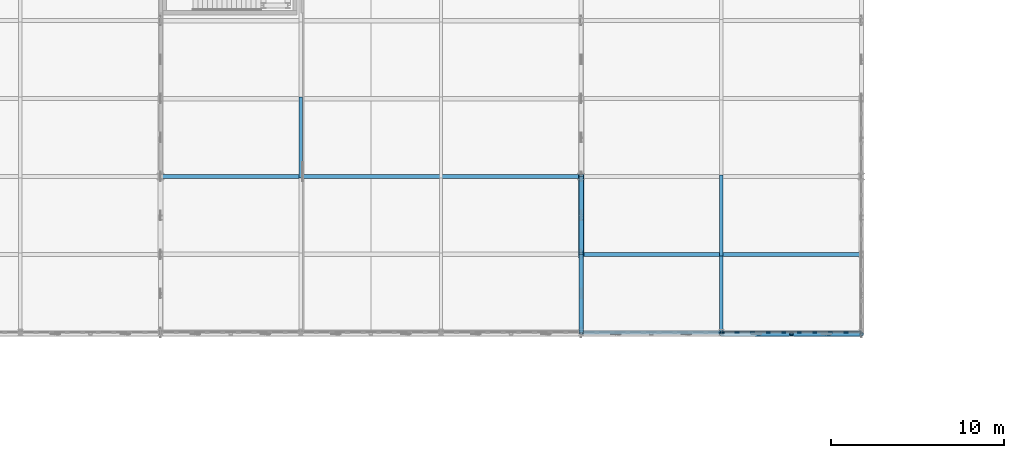
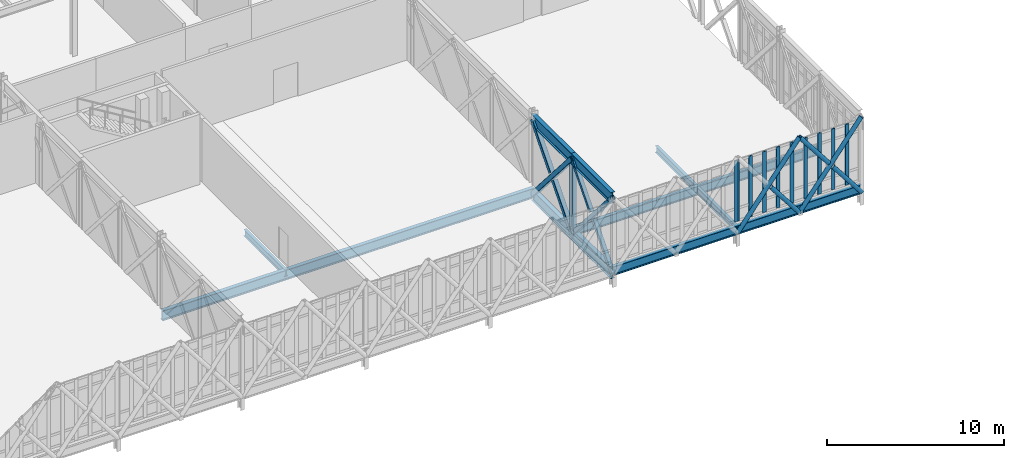
# One storey, part 18 of 107: 22 members, 10 beams, 2 elements without a shape of their own.
"""IFC4 building model written with IfcOpenShell, lengths in metres."""

from ifc_helpers import new_model, si_unit, direction, frame, origin, origin_2d, place, context, subcontext, project, spatial, rectangle, hollow_rectangle, hollow_circle, i_section, extrude, material, material_profile, profile_set, type_object, element, aggregate, save


model = new_model("IFC4")

# Units and contexts
model_context = context("Model", 3, precision=1e-05, world=origin(), true_north=direction((0.0, 1.0)))
body_context = subcontext(model_context, "Body", "Model", "MODEL_VIEW")
ifc_project = project(units=[si_unit("LENGTHUNIT", "METRE"), si_unit("AREAUNIT", "SQUARE_METRE"), si_unit("VOLUMEUNIT", "CUBIC_METRE"), si_unit("PLANEANGLEUNIT", "RADIAN"), si_unit("MASSUNIT", "GRAM", prefix="KILO")], contexts=[model_context])

# Site, building, storey
site_placement = place(None, origin())
site = spatial("IfcSite", under=ifc_project, at=site_placement, CompositionType="ELEMENT")
building_placement = place(site_placement, origin())
building = spatial("IfcBuilding", under=site, at=building_placement, Name="Tarnveldt Square Police Headquarters", CompositionType="ELEMENT")
storey_placement = place(building_placement, frame((0.0, 0.0, 14.699951171875)))
storey = spatial("IfcBuildingStorey", under=building, at=storey_placement, Name="L03", CompositionType="ELEMENT", Elevation=14.699951171875)

# Beams
ifc_material_1 = material(Name="Steel 350W", Category="steel")
ifc_material_profile_1 = material_profile(ifc_material_1, i_section(OverallWidth=0.26708984375, OverallDepth=0.76611328125, WebThickness=0.014892578125, FlangeThickness=0.023681640625, FilletRadius=0.02197265625, at=origin_2d()), Name="W760x185")
ifc_profile_set_1 = profile_set([ifc_material_profile_1], Name="Steel 350W")
beam_type_1 = type_object("IfcBeamType", Name="BM-CT-BOT", PredefinedType="BEAM", material=ifc_profile_set_1)
for number, where, z_axis, x_axis, name in (
    (1, (48.60009765625, 16.0, -0.742919921875), (0.0, -1.0, 0.0), (1.0, 0.0, 0.0), "Cantilever Truss CT-3 Bottom Chord 5"),
    (2, (48.60009765625, 16.0, 4.45703125), (0.0, -1.0, 0.0), (1.0, 0.0, 0.0), "Cantilever Truss CT-3 Mid Chord 5"),
    (3, (48.60009765625, 11.5, -0.742919921875), (0.0, -1.0, 0.0), (1.0, 0.0, 0.0), "Cantilever Truss CT-3 Bottom Chord 6"),
    (4, (48.60009765625, 11.5, 4.45703125), (0.0, -1.0, 0.0), (1.0, 0.0, 0.0), "Cantilever Truss CT-3 Mid Chord 6"),
):
    element("IfcBeam", number, at=place(storey_placement, frame(where, z_axis=z_axis, x_axis=x_axis)), inside=storey, type_object=beam_type_1, Name=name, PredefinedType="BEAM", context=body_context, shape_type="SweptSolid", body=[
        extrude(i_section(OverallWidth=0.26708984375, OverallDepth=0.76611328125, WebThickness=0.014892578125, FlangeThickness=0.023681640625, FilletRadius=0.02197265625, at=origin_2d()), origin(), (0.0, 0.0, 1.0), 4.5),
    ])
ifc_material_profile_2 = material_profile(ifc_material_1, i_section(OverallWidth=0.19189453125, OverallDepth=0.462890625, WebThickness=0.010498046875, FlangeThickness=0.017578125, FilletRadius=0.01806640625, at=origin_2d()), Name="W460x89")
ifc_profile_set_2 = profile_set([ifc_material_profile_2], Name="Steel 350W")
beam_type_2 = type_object("IfcBeamType", Name="BM-W460x89", PredefinedType="BEAM", material=ifc_profile_set_2)
for number, where, z_axis, x_axis, name in (
    (5, (32.39990234375, 20.580078125, -0.491455078125), (0.0, -1.0, 0.0), (1.0, 0.0, 0.0), "Lantern L03 Secondary Beam 32.3"),
    (6, (56.699951171875, 16.080078125, -0.491455078125), (0.0, -1.0, 0.0), (1.0, 0.0, 0.0), "Lantern L03 Secondary Beam 56.4"),
    (7, (56.699951171875, 11.580078125, -0.491455078125), (0.0, -1.0, 0.0), (1.0, 0.0, 0.0), "Lantern L03 Secondary Beam 56.5"),
):
    element("IfcBeam", number, at=place(storey_placement, frame(where, z_axis=z_axis, x_axis=x_axis)), inside=storey, type_object=beam_type_2, Name=name, PredefinedType="BEAM", context=body_context, shape_type="SweptSolid", body=[
        extrude(i_section(OverallWidth=0.19189453125, OverallDepth=0.462890625, WebThickness=0.010498046875, FlangeThickness=0.017578125, FilletRadius=0.01806640625, at=origin_2d()), origin(), (0.0, 0.0, 1.0), 4.66015625),
    ])
ifc_material_profile_3 = material_profile(ifc_material_1, i_section(OverallWidth=0.22900390625, OverallDepth=0.612060546875, WebThickness=0.011962890625, FlangeThickness=0.01953125, FilletRadius=0.01904296875, at=origin_2d()), Name="W610x125")
ifc_profile_set_3 = profile_set([ifc_material_profile_3], Name="Steel 350W")
beam_type_3 = type_object("IfcBeamType", Name="BM-W610x125", PredefinedType="BEAM", material=ifc_profile_set_3)
for number, where, z_axis, x_axis, name in (
    (8, (48.60009765625, 11.5, -0.56591796875), (1.0, 0.0, 0.0), (0.0, 1.0, 0.0), "Command Lantern L03 Transverse Girder 3.5"),
    (9, (48.60009765625, 7.0, -0.56591796875), (1.0, 0.0, 0.0), (0.0, 1.0, 0.0), "Command Lantern L03 Transverse Girder 3.6"),
):
    element("IfcBeam", number, at=place(storey_placement, frame(where, z_axis=z_axis, x_axis=x_axis)), inside=storey, type_object=beam_type_3, Name=name, PredefinedType="BEAM", context=body_context, shape_type="SweptSolid", body=[
        extrude(i_section(OverallWidth=0.22900390625, OverallDepth=0.612060546875, WebThickness=0.011962890625, FlangeThickness=0.01953125, FilletRadius=0.01904296875, at=origin_2d()), origin(), (0.0, 0.0, 1.0), 16.199951171875),
    ])
ifc_material_profile_4 = material_profile(ifc_material_1, i_section(OverallWidth=0.25390625, OverallDepth=0.68798828125, WebThickness=0.01318359375, FlangeThickness=0.02099609375, FilletRadius=0.02001953125, at=origin_2d()), Name="W690x152")
ifc_profile_set_4 = profile_set([ifc_material_profile_4], Name="Steel 350W")
beam_type_4 = type_object("IfcBeamType", Name="BM-W690x152", PredefinedType="BEAM", material=ifc_profile_set_4)
beam_placement = place(storey_placement, frame((24.300048828125, 16.0, -0.60400390625), z_axis=(1.0, 0.0, 0.0), x_axis=(0.0, 1.0, 0.0)))
element("IfcBeam", 10, at=beam_placement, inside=storey, type_object=beam_type_4, Name="Command Lantern L03 Transverse Girder 2.4", PredefinedType="BEAM", context=body_context, shape_type="SweptSolid", body=[
    extrude(i_section(OverallWidth=0.25390625, OverallDepth=0.68798828125, WebThickness=0.01318359375, FlangeThickness=0.02099609375, FilletRadius=0.02001953125, at=origin_2d()), origin(), (0.0, 0.0, 1.0), 24.300048828125),
])

# Curtain wall, member
ifc_material_2 = material(Name="UL 752 Level III laminated ballistic vision glass", Category="glass")
curtain_wall_type = type_object("IfcCurtainWallType", Name="CW-BL-810x422", PredefinedType="USERDEFINED", material=ifc_material_2)
curtain_wall_1_placement = place(storey_placement, origin())
curtain_wall_1 = element("IfcCurtainWall", 11, at=curtain_wall_1_placement, inside=storey, type_object=curtain_wall_type, Name="L03 Curtain Wall CW-L03-028", ObjectType="BALLISTIC CURTAIN WALL", PredefinedType="USERDEFINED")
ifc_material_3 = material(Name="Thermally broken anodised aluminium 6063-T6", Category="aluminium")
ifc_material_profile_5 = material_profile(ifc_material_3, rectangle(XDim=0.0849609375, YDim=0.239990234375, at=origin_2d()), Name="CW-M85x240")
ifc_profile_set_5 = profile_set([ifc_material_profile_5], Name="Thermally broken anodised aluminium 6063-T6")
member_type_1 = type_object("IfcMemberType", Name="CWM-85x240", PredefinedType="MULLION", material=ifc_profile_set_5)
member_1_placement = place(storey_placement, frame((56.657470703125, 7.0, 0.0), z_axis=(0.0, 0.0, 1.0), x_axis=(0.0, 1.0, 0.0)))
member_1 = element("IfcMember", 12, at=member_1_placement, type_object=member_type_1, Name="CW-BL12 mullion 10", PredefinedType="MULLION", context=body_context, shape_type="SweptSolid", body=[
    extrude(rectangle(XDim=0.0849609375, YDim=0.239990234375, at=origin_2d()), origin(), (0.0, 0.0, 1.0), 4.219970703125),
])
aggregate(curtain_wall_1, [member_1])

# Curtain wall, members
curtain_wall_2_placement = place(storey_placement, origin())
curtain_wall_2 = element("IfcCurtainWall", 13, at=curtain_wall_2_placement, inside=storey, type_object=curtain_wall_type, Name="L03 Curtain Wall CW-L03-029", ObjectType="BALLISTIC CURTAIN WALL", PredefinedType="USERDEFINED")
member_2_placement = place(storey_placement, frame((56.742431640625, 7.0, 0.0), z_axis=(0.0, 0.0, 1.0), x_axis=(0.0, 1.0, 0.0)))
member_2 = element("IfcMember", 14, at=member_2_placement, type_object=member_type_1, Name="CW-BL12 mullion 1", PredefinedType="MULLION", context=body_context, shape_type="SweptSolid", body=[
    extrude(rectangle(XDim=0.0849609375, YDim=0.239990234375, at=origin_2d()), origin(), (0.0, 0.0, 1.0), 4.219970703125),
])
member_3_placement = place(storey_placement, frame((57.60009765625, 7.0, 0.0), z_axis=(0.0, 0.0, 1.0), x_axis=(0.0, 1.0, 0.0)))
member_3 = element("IfcMember", 15, at=member_3_placement, type_object=member_type_1, Name="CW-BL12 mullion 2", PredefinedType="MULLION", context=body_context, shape_type="SweptSolid", body=[
    extrude(rectangle(XDim=0.0849609375, YDim=0.239990234375, at=origin_2d()), origin(), (0.0, 0.0, 1.0), 4.219970703125),
])
member_4_placement = place(storey_placement, frame((58.5, 7.0, 0.0), z_axis=(0.0, 0.0, 1.0), x_axis=(0.0, 1.0, 0.0)))
member_4 = element("IfcMember", 16, at=member_4_placement, type_object=member_type_1, Name="CW-BL12 mullion 3", PredefinedType="MULLION", context=body_context, shape_type="SweptSolid", body=[
    extrude(rectangle(XDim=0.0849609375, YDim=0.239990234375, at=origin_2d()), origin(), (0.0, 0.0, 1.0), 4.219970703125),
])
member_5_placement = place(storey_placement, frame((59.39990234375, 7.0, 0.0), z_axis=(0.0, 0.0, 1.0), x_axis=(0.0, 1.0, 0.0)))
member_5 = element("IfcMember", 17, at=member_5_placement, type_object=member_type_1, Name="CW-BL12 mullion 4", PredefinedType="MULLION", context=body_context, shape_type="SweptSolid", body=[
    extrude(rectangle(XDim=0.0849609375, YDim=0.239990234375, at=origin_2d()), origin(), (0.0, 0.0, 1.0), 4.219970703125),
])
member_6_placement = place(storey_placement, frame((60.300048828125, 7.0, 0.0), z_axis=(0.0, 0.0, 1.0), x_axis=(0.0, 1.0, 0.0)))
member_6 = element("IfcMember", 18, at=member_6_placement, type_object=member_type_1, Name="CW-BL12 mullion 5", PredefinedType="MULLION", context=body_context, shape_type="SweptSolid", body=[
    extrude(rectangle(XDim=0.0849609375, YDim=0.239990234375, at=origin_2d()), origin(), (0.0, 0.0, 1.0), 4.219970703125),
])
member_7_placement = place(storey_placement, frame((61.199951171875, 7.0, 0.0), z_axis=(0.0, 0.0, 1.0), x_axis=(0.0, 1.0, 0.0)))
member_7 = element("IfcMember", 19, at=member_7_placement, type_object=member_type_1, Name="CW-BL12 mullion 6", PredefinedType="MULLION", context=body_context, shape_type="SweptSolid", body=[
    extrude(rectangle(XDim=0.0849609375, YDim=0.239990234375, at=origin_2d()), origin(), (0.0, 0.0, 1.0), 4.219970703125),
])
member_8_placement = place(storey_placement, frame((62.10009765625, 7.0, 0.0), z_axis=(0.0, 0.0, 1.0), x_axis=(0.0, 1.0, 0.0)))
member_8 = element("IfcMember", 20, at=member_8_placement, type_object=member_type_1, Name="CW-BL12 mullion 7", PredefinedType="MULLION", context=body_context, shape_type="SweptSolid", body=[
    extrude(rectangle(XDim=0.0849609375, YDim=0.239990234375, at=origin_2d()), origin(), (0.0, 0.0, 1.0), 4.219970703125),
])
member_9_placement = place(storey_placement, frame((63.0, 7.0, 0.0), z_axis=(0.0, 0.0, 1.0), x_axis=(0.0, 1.0, 0.0)))
member_9 = element("IfcMember", 21, at=member_9_placement, type_object=member_type_1, Name="CW-BL12 mullion 8", PredefinedType="MULLION", context=body_context, shape_type="SweptSolid", body=[
    extrude(rectangle(XDim=0.0849609375, YDim=0.239990234375, at=origin_2d()), origin(), (0.0, 0.0, 1.0), 4.219970703125),
])
member_10_placement = place(storey_placement, frame((63.89990234375, 7.0, 0.0), z_axis=(0.0, 0.0, 1.0), x_axis=(0.0, 1.0, 0.0)))
member_10 = element("IfcMember", 22, at=member_10_placement, type_object=member_type_1, Name="CW-BL12 mullion 9", PredefinedType="MULLION", context=body_context, shape_type="SweptSolid", body=[
    extrude(rectangle(XDim=0.0849609375, YDim=0.239990234375, at=origin_2d()), origin(), (0.0, 0.0, 1.0), 4.219970703125),
])
aggregate(curtain_wall_2, [member_2, member_3, member_4, member_5, member_6, member_7, member_8, member_9, member_10])

# Members
ifc_material_profile_6 = material_profile(ifc_material_1, i_section(OverallWidth=0.257080078125, OverallDepth=0.363037109375, WebThickness=0.012939453125, FlangeThickness=0.021728515625, FilletRadius=0.01611328125, at=origin_2d()), Name="W360x122")
ifc_profile_set_6 = profile_set([ifc_material_profile_6], Name="Steel 350W")
member_type_2 = type_object("IfcMemberType", Name="MEM-CT-POST", PredefinedType="STRUT", material=ifc_profile_set_6)
member_11_placement = place(storey_placement, frame((48.60009765625, 11.5, -0.742919921875), z_axis=(0.0, 0.0, 1.0), x_axis=(1.0, 0.0, 0.0)))
element("IfcMember", 23, at=member_11_placement, inside=storey, type_object=member_type_2, Name="Cantilever Truss CT-3 L03 Post 6", PredefinedType="STRUT", context=body_context, shape_type="SweptSolid", body=[
    extrude(i_section(OverallWidth=0.257080078125, OverallDepth=0.363037109375, WebThickness=0.012939453125, FlangeThickness=0.021728515625, FilletRadius=0.01611328125, at=origin_2d()), origin(), (0.0, 0.0, 1.0), 5.199951171875),
])
ifc_material_profile_7 = material_profile(ifc_material_1, hollow_rectangle(XDim=0.3046875, YDim=0.3046875, WallThickness=0.015869140625, InnerFilletRadius=0.015869140625, OuterFilletRadius=0.03173828125, at=origin_2d()), Name="HSS305x305x16")
ifc_profile_set_7 = profile_set([ifc_material_profile_7], Name="Steel 350W")
member_type_3 = type_object("IfcMemberType", Name="MEM-CT-WEB1", PredefinedType="BRACE", material=ifc_profile_set_7)
member_12_placement = place(storey_placement, frame((48.60009765625, 16.0, -0.742919921875), z_axis=(0.0, -0.654380257886, 0.756165641966), x_axis=(1.0, 0.0, 0.0)))
element("IfcMember", 24, at=member_12_placement, inside=storey, type_object=member_type_3, Name="Cantilever Truss CT-3 L03 Web A5", PredefinedType="BRACE", context=body_context, shape_type="SweptSolid", body=[
    extrude(hollow_rectangle(XDim=0.3046875, YDim=0.3046875, WallThickness=0.015869140625, InnerFilletRadius=0.015869140625, OuterFilletRadius=0.03173828125, at=origin_2d()), origin(), (0.0, 0.0, 1.0), 6.876708984375),
])
for number, where, z_axis, x_axis, name in (
    (25, (48.60009765625, 11.5, -0.742919921875), (0.0, 0.654370071154, 0.756174457369), (-1.0, 0.0, 0.0), "Cantilever Truss CT-3 L03 Web B5 Lower"),
    (26, (48.60009765625, 13.89404296875, 2.0234375), (0.0, 0.654370071154, 0.756174457369), (-1.0, 0.0, 0.0), "Cantilever Truss CT-3 L03 Web B5 Upper"),
):
    element("IfcMember", number, at=place(storey_placement, frame(where, z_axis=z_axis, x_axis=x_axis)), inside=storey, type_object=member_type_3, Name=name, PredefinedType="BRACE", context=body_context, shape_type="SweptSolid", body=[
        extrude(hollow_rectangle(XDim=0.3046875, YDim=0.3046875, WallThickness=0.015869140625, InnerFilletRadius=0.015869140625, OuterFilletRadius=0.03173828125, at=origin_2d()), origin(), (0.0, 0.0, 1.0), 3.21826171875),
    ])
ifc_material_profile_8 = material_profile(ifc_material_1, hollow_rectangle(XDim=0.25390625, YDim=0.25390625, WallThickness=0.0126953125, InnerFilletRadius=0.0126953125, OuterFilletRadius=0.025390625, at=origin_2d()), Name="HSS254x254x13")
ifc_profile_set_8 = profile_set([ifc_material_profile_8], Name="Steel 350W")
member_type_4 = type_object("IfcMemberType", Name="MEM-CT-WEB2", PredefinedType="BRACE", material=ifc_profile_set_8)
member_13_placement = place(storey_placement, frame((48.60009765625, 11.5, -0.742919921875), z_axis=(0.0, -0.654380257886, 0.756165641966), x_axis=(1.0, 0.0, 0.0)))
element("IfcMember", 27, at=member_13_placement, inside=storey, type_object=member_type_4, Name="Cantilever Truss CT-3 L03 Web A6", PredefinedType="BRACE", context=body_context, shape_type="SweptSolid", body=[
    extrude(hollow_rectangle(XDim=0.25390625, YDim=0.25390625, WallThickness=0.0126953125, InnerFilletRadius=0.0126953125, OuterFilletRadius=0.025390625, at=origin_2d()), origin(), (0.0, 0.0, 1.0), 6.876708984375),
])
for number, where, z_axis, x_axis, name in (
    (28, (48.60009765625, 7.0, -0.742919921875), (0.0, 0.654370071154, 0.756174457369), (-1.0, 0.0, 0.0), "Cantilever Truss CT-3 L03 Web B6 Lower"),
    (29, (48.60009765625, 9.39404296875, 2.0234375), (0.0, 0.654370071154, 0.756174457369), (-1.0, 0.0, 0.0), "Cantilever Truss CT-3 L03 Web B6 Upper"),
):
    element("IfcMember", number, at=place(storey_placement, frame(where, z_axis=z_axis, x_axis=x_axis)), inside=storey, type_object=member_type_4, Name=name, PredefinedType="BRACE", context=body_context, shape_type="SweptSolid", body=[
        extrude(hollow_rectangle(XDim=0.25390625, YDim=0.25390625, WallThickness=0.0126953125, InnerFilletRadius=0.0126953125, OuterFilletRadius=0.025390625, at=origin_2d()), origin(), (0.0, 0.0, 1.0), 3.21826171875),
    ])
ifc_material_profile_9 = material_profile(ifc_material_1, hollow_circle(Radius=0.136474609375, WallThickness=0.0126953125, at=origin_2d()), Name="HSS273x13")
ifc_profile_set_9 = profile_set([ifc_material_profile_9], Name="Steel 350W")
member_type_5 = type_object("IfcMemberType", Name="MEM-LT-DIAG1", PredefinedType="BRACE", material=ifc_profile_set_9)
member_14_placement = place(storey_placement, frame((56.699951171875, 6.89990234375, -0.742919921875), z_axis=(0.614473864369, 0.0, 0.788937177478), x_axis=(0.0, 1.0, 0.0)))
element("IfcMember", 30, at=member_14_placement, inside=storey, type_object=member_type_5, Name="Command Lantern S Steel Lattice Brace 7.1A", PredefinedType="BRACE", context=body_context, shape_type="SweptSolid", body=[
    extrude(hollow_circle(Radius=0.136474609375, WallThickness=0.0126953125, at=origin_2d()), origin(), (0.0, 0.0, 1.0), 6.591064453125),
])
member_15_placement = place(storey_placement, frame((60.75, 6.89990234375, -0.742919921875), z_axis=(-0.614475574544, 0.0, 0.788935845484), x_axis=(0.0, -1.0, 0.0)))
element("IfcMember", 31, at=member_15_placement, inside=storey, type_object=member_type_5, Name="Command Lantern S Steel Lattice Brace 7.1B Lower", PredefinedType="BRACE", context=body_context, shape_type="SweptSolid", body=[
    extrude(hollow_circle(Radius=0.136474609375, WallThickness=0.0126953125, at=origin_2d()), origin(), (0.0, 0.0, 1.0), 3.095458984375),
])
member_16_placement = place(storey_placement, frame((60.75, 6.89990234375, -0.742919921875), z_axis=(0.614473864369, 0.0, 0.788937177478), x_axis=(0.0, 1.0, 0.0)))
element("IfcMember", 32, at=member_16_placement, inside=storey, type_object=member_type_5, Name="Command Lantern S Steel Lattice Brace 7.2A", PredefinedType="BRACE", context=body_context, shape_type="SweptSolid", body=[
    extrude(hollow_circle(Radius=0.136474609375, WallThickness=0.0126953125, at=origin_2d()), origin(), (0.0, 0.0, 1.0), 6.591064453125),
])
for number, where, z_axis, x_axis, name in (
    (33, (64.800048828125, 6.89990234375, -0.742919921875), (-0.614475574544, 0.0, 0.788935845484), (0.0, -1.0, 0.0), "Command Lantern S Steel Lattice Brace 7.2B Lower"),
    (34, (62.652099609375, 6.89990234375, 2.014892578125), (-0.614475574544, 0.0, 0.788935845484), (0.0, -1.0, 0.0), "Command Lantern S Steel Lattice Brace 7.2B Upper"),
):
    element("IfcMember", number, at=place(storey_placement, frame(where, z_axis=z_axis, x_axis=x_axis)), inside=storey, type_object=member_type_5, Name=name, PredefinedType="BRACE", context=body_context, shape_type="SweptSolid", body=[
        extrude(hollow_circle(Radius=0.136474609375, WallThickness=0.0126953125, at=origin_2d()), origin(), (0.0, 0.0, 1.0), 3.095458984375),
    ])

save(model, "model.ifc")
